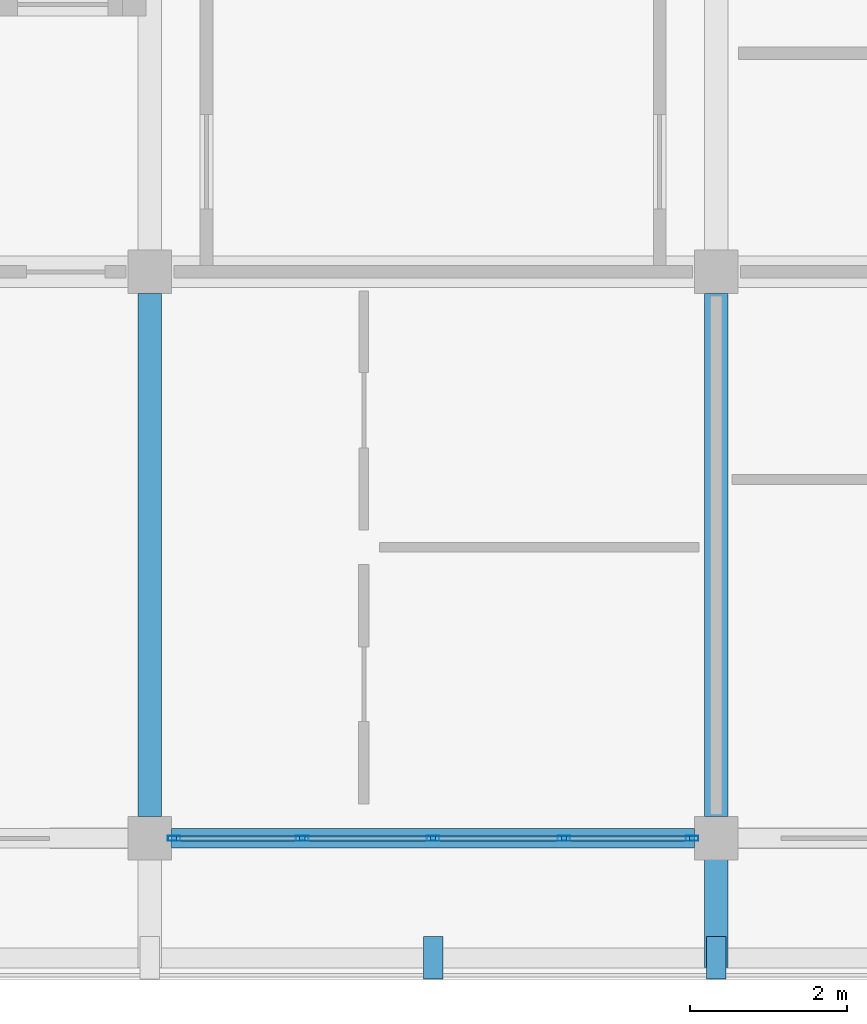
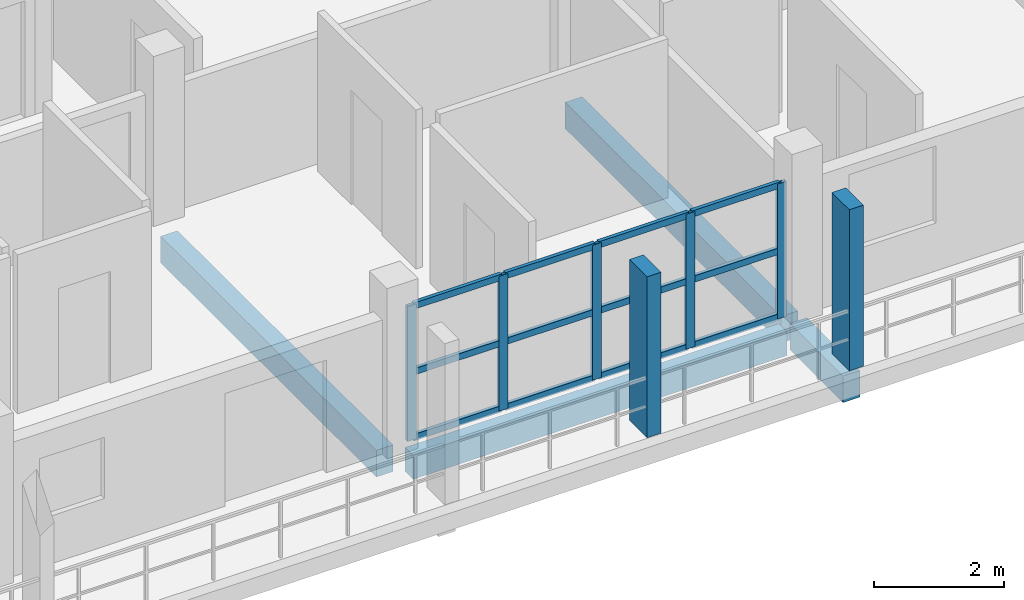
# One storey, part 6 of 67: 19 members, 4 beams, 1 element without a shape of its own.
"""IFC4 building model written with IfcOpenShell, lengths in metres."""

from ifc_helpers import new_model, si_unit, direction, frame, origin, origin_2d, place, context, subcontext, project, spatial, rectangle, hollow_rectangle, extrude, material, material_profile, profile_set, type_object, element, aggregate, save


model = new_model("IFC4")

# Units and contexts
model_context = context("Model", 3, precision=1e-05, world=origin(), true_north=direction((0.0, 1.0)))
body_context = subcontext(model_context, "Body", "Model", "MODEL_VIEW")
ifc_project = project(units=[si_unit("LENGTHUNIT", "METRE"), si_unit("AREAUNIT", "SQUARE_METRE"), si_unit("VOLUMEUNIT", "CUBIC_METRE"), si_unit("PLANEANGLEUNIT", "RADIAN"), si_unit("MASSUNIT", "GRAM", prefix="KILO")], contexts=[model_context])

# Site, building, storey
site_placement = place(None, origin())
site = spatial("IfcSite", under=ifc_project, at=site_placement, CompositionType="ELEMENT")
building_placement = place(site_placement, origin())
building = spatial("IfcBuilding", under=site, at=building_placement, Name="Suanplinth Sawtooth Commons", CompositionType="ELEMENT")
storey_placement = place(building_placement, frame((0.0, 0.0, 25.10009765625)))
storey = spatial("IfcBuildingStorey", under=building, at=storey_placement, Name="L07", CompositionType="ELEMENT", Elevation=25.10009765625)

# Beams
ifc_material_1 = material(Name="Precast concrete C40/50", Category="concrete")
ifc_material_profile_1 = material_profile(ifc_material_1, rectangle(XDim=0.300048828125, YDim=0.5, at=origin_2d()), Name="PC-BM 300x500")
ifc_profile_set_1 = profile_set([ifc_material_profile_1], Name="Precast concrete C40/50")
beam_type_1 = type_object("IfcBeamType", Name="B-07", PredefinedType="BEAM", material=ifc_profile_set_1)
for number, where, z_axis, x_axis, name in (
    (1, (36.0, 0.27490234375, -0.47021484375), (0.0, 1.0, 0.0), (-1.0, 0.0, 0.0), "BMY-L07-D-5-0"),
    (2, (43.199951171875, 0.27490234375, -0.47021484375), (0.0, 1.0, 0.0), (-1.0, 0.0, 0.0), "BMY-L07-D-6-0"),
):
    element("IfcBeam", number, at=place(storey_placement, frame(where, z_axis=z_axis, x_axis=x_axis)), inside=storey, type_object=beam_type_1, Name=name, PredefinedType="BEAM", context=body_context, shape_type="SweptSolid", body=[
        extrude(rectangle(XDim=0.300048828125, YDim=0.5, at=origin_2d()), origin(), (0.0, 0.0, 1.0), 6.650146484375),
    ])
beam_1_placement = place(storey_placement, frame((43.199951171875, 0.0, -0.43017578125), z_axis=(0.0, -1.0, 0.0), x_axis=(1.0, 0.0, 0.0)))
element("IfcBeam", 3, at=beam_1_placement, inside=storey, type_object=beam_type_1, Name="Balcony Outrigger L07-D-S-6", PredefinedType="BEAM", context=body_context, shape_type="SweptSolid", body=[
    extrude(rectangle(XDim=0.300048828125, YDim=0.5, at=origin_2d()), origin(), (0.0, 0.0, 1.0), 1.639892578125),
])
ifc_material_profile_2 = material_profile(ifc_material_1, rectangle(XDim=0.25, YDim=0.449951171875, at=origin_2d()), Name="PC-SP 250x450")
ifc_profile_set_2 = profile_set([ifc_material_profile_2], Name="Precast concrete C40/50")
beam_type_2 = type_object("IfcBeamType", Name="B-09", PredefinedType="SPANDREL", material=ifc_profile_set_2)
beam_2_placement = place(storey_placement, frame((36.27490234375, 0.0, -0.445068359375), z_axis=(1.0, 0.0, 0.0), x_axis=(0.0, 1.0, 0.0)))
element("IfcBeam", 4, at=beam_2_placement, inside=storey, type_object=beam_type_2, Name="BMX-L07-D-5-0", PredefinedType="SPANDREL", context=body_context, shape_type="SweptSolid", body=[
    extrude(rectangle(XDim=0.25, YDim=0.449951171875, at=origin_2d()), origin(), (0.0, 0.0, 1.0), 6.650146484375),
])

# Members
ifc_material_2 = material(Name="Pigmented precast concrete C40/50", Category="concrete")
ifc_material_profile_3 = material_profile(ifc_material_2, rectangle(XDim=0.25, YDim=0.5400390625, at=origin_2d()), Name="PC-FIN 250x540")
ifc_profile_set_3 = profile_set([ifc_material_profile_3], Name="Pigmented precast concrete C40/50")
member_type_1 = type_object("IfcMemberType", Name="M-11", PredefinedType="USERDEFINED", material=ifc_profile_set_3)
for number, where, z_axis, x_axis, name in (
    (5, (39.60009765625, -1.52001953125, 0.0), (0.0, 0.0, 1.0), (1.0, 0.0, 0.0), "Upright Solar Blade L07-D-S-06"),
    (6, (43.199951171875, -1.52001953125, 0.0), (0.0, 0.0, 1.0), (1.0, 0.0, 0.0), "Upright Solar Blade L07-D-S-07"),
):
    element("IfcMember", number, at=place(storey_placement, frame(where, z_axis=z_axis, x_axis=x_axis)), inside=storey, type_object=member_type_1, Name=name, ObjectType="SHADING FIN", PredefinedType="USERDEFINED", context=body_context, shape_type="SweptSolid", body=[
        extrude(rectangle(XDim=0.25, YDim=0.5400390625, at=origin_2d()), origin(), (0.0, 0.0, 1.0), 3.02978515625),
    ])

# Curtain wall, members
ifc_material_3 = material(Name="Anodized aluminium and low-E glazing", Category="aluminium")
curtain_wall_type = type_object("IfcCurtainWallType", Name="CW-06", PredefinedType="USERDEFINED", material=ifc_material_3)
curtain_wall_placement = place(storey_placement, origin())
curtain_wall = element("IfcCurtainWall", 7, at=curtain_wall_placement, inside=storey, type_object=curtain_wall_type, Name="Curtain Wall CW-L07-D-LOUNGE-5", ObjectType="CURTAIN WALL", PredefinedType="USERDEFINED")
ifc_material_4 = material(Name="Anodized aluminium 6063-T6", Category="aluminium")
ifc_material_profile_4 = material_profile(ifc_material_4, hollow_rectangle(XDim=0.06494140625, YDim=0.159912109375, WallThickness=0.00390625, at=origin_2d()), Name="ALU-MUL 65x160")
ifc_profile_set_4 = profile_set([ifc_material_profile_4], Name="Anodized aluminium 6063-T6")
member_type_2 = type_object("IfcMemberType", Name="M-13", PredefinedType="MULLION", material=ifc_profile_set_4)
member_1_placement = place(storey_placement, frame((36.3076171875, 0.0, 0.0), z_axis=(0.0, 0.0, 1.0), x_axis=(0.0, 1.0, 0.0)))
member_1 = element("IfcMember", 8, at=member_1_placement, type_object=member_type_2, Name="CW-06 mullion 1", PredefinedType="MULLION", context=body_context, shape_type="SweptSolid", body=[
    extrude(hollow_rectangle(XDim=0.06494140625, YDim=0.159912109375, WallThickness=0.00390625, at=origin_2d()), origin(), (0.0, 0.0, 1.0), 2.539794921875),
])
member_2_placement = place(storey_placement, frame((37.9375, 0.0, 0.0), z_axis=(0.0, 0.0, 1.0), x_axis=(0.0, 1.0, 0.0)))
member_2 = element("IfcMember", 9, at=member_2_placement, type_object=member_type_2, Name="CW-06 mullion 2", PredefinedType="MULLION", context=body_context, shape_type="SweptSolid", body=[
    extrude(hollow_rectangle(XDim=0.06494140625, YDim=0.159912109375, WallThickness=0.00390625, at=origin_2d()), origin(), (0.0, 0.0, 1.0), 2.539794921875),
])
member_3_placement = place(storey_placement, frame((39.60009765625, 0.0, 0.0), z_axis=(0.0, 0.0, 1.0), x_axis=(0.0, 1.0, 0.0)))
member_3 = element("IfcMember", 10, at=member_3_placement, type_object=member_type_2, Name="CW-06 mullion 3", PredefinedType="MULLION", context=body_context, shape_type="SweptSolid", body=[
    extrude(hollow_rectangle(XDim=0.06494140625, YDim=0.159912109375, WallThickness=0.00390625, at=origin_2d()), origin(), (0.0, 0.0, 1.0), 2.539794921875),
])
member_4_placement = place(storey_placement, frame((41.262451171875, 0.0, 0.0), z_axis=(0.0, 0.0, 1.0), x_axis=(0.0, 1.0, 0.0)))
member_4 = element("IfcMember", 11, at=member_4_placement, type_object=member_type_2, Name="CW-06 mullion 4", PredefinedType="MULLION", context=body_context, shape_type="SweptSolid", body=[
    extrude(hollow_rectangle(XDim=0.06494140625, YDim=0.159912109375, WallThickness=0.00390625, at=origin_2d()), origin(), (0.0, 0.0, 1.0), 2.539794921875),
])
member_5_placement = place(storey_placement, frame((42.892578125, 0.0, 0.0), z_axis=(0.0, 0.0, 1.0), x_axis=(0.0, 1.0, 0.0)))
member_5 = element("IfcMember", 12, at=member_5_placement, type_object=member_type_2, Name="CW-06 mullion 5", PredefinedType="MULLION", context=body_context, shape_type="SweptSolid", body=[
    extrude(hollow_rectangle(XDim=0.06494140625, YDim=0.159912109375, WallThickness=0.00390625, at=origin_2d()), origin(), (0.0, 0.0, 1.0), 2.539794921875),
])
ifc_material_profile_5 = material_profile(ifc_material_4, hollow_rectangle(XDim=0.06494140625, YDim=0.1201171875, WallThickness=0.00390625, at=origin_2d()), Name="ALU-TRN 65x120")
ifc_profile_set_5 = profile_set([ifc_material_profile_5], Name="Anodized aluminium 6063-T6")
member_type_3 = type_object("IfcMemberType", Name="M-15", PredefinedType="USERDEFINED", material=ifc_profile_set_5)
member_6_placement = place(storey_placement, frame((36.340087890625, 0.0, 0.032470703125), z_axis=(1.0, 0.0, 0.0), x_axis=(0.0, 1.0, 0.0)))
member_6 = element("IfcMember", 13, at=member_6_placement, type_object=member_type_3, Name="CW-06 transom 1.1", ObjectType="TRANSOM", PredefinedType="USERDEFINED", context=body_context, shape_type="SweptSolid", body=[
    extrude(hollow_rectangle(XDim=0.06494140625, YDim=0.1201171875, WallThickness=0.00390625, at=origin_2d()), origin(), (0.0, 0.0, 1.0), 1.56494140625),
])
member_7_placement = place(storey_placement, frame((36.340087890625, 0.0, 1.27001953125), z_axis=(1.0, 0.0, 0.0), x_axis=(0.0, 1.0, 0.0)))
member_7 = element("IfcMember", 14, at=member_7_placement, type_object=member_type_3, Name="CW-06 transom 1.2", ObjectType="TRANSOM", PredefinedType="USERDEFINED", context=body_context, shape_type="SweptSolid", body=[
    extrude(hollow_rectangle(XDim=0.06494140625, YDim=0.1201171875, WallThickness=0.00390625, at=origin_2d()), origin(), (0.0, 0.0, 1.0), 1.56494140625),
])
member_8_placement = place(storey_placement, frame((36.340087890625, 0.0, 2.50732421875), z_axis=(1.0, 0.0, 0.0), x_axis=(0.0, 1.0, 0.0)))
member_8 = element("IfcMember", 15, at=member_8_placement, type_object=member_type_3, Name="CW-06 transom 1.3", ObjectType="TRANSOM", PredefinedType="USERDEFINED", context=body_context, shape_type="SweptSolid", body=[
    extrude(hollow_rectangle(XDim=0.06494140625, YDim=0.1201171875, WallThickness=0.00390625, at=origin_2d()), origin(), (0.0, 0.0, 1.0), 1.56494140625),
])
member_9_placement = place(storey_placement, frame((37.969970703125, 0.0, 0.032470703125), z_axis=(1.0, 0.0, 0.0), x_axis=(0.0, 1.0, 0.0)))
member_9 = element("IfcMember", 16, at=member_9_placement, type_object=member_type_3, Name="CW-06 transom 2.1", ObjectType="TRANSOM", PredefinedType="USERDEFINED", context=body_context, shape_type="SweptSolid", body=[
    extrude(hollow_rectangle(XDim=0.06494140625, YDim=0.1201171875, WallThickness=0.00390625, at=origin_2d()), origin(), (0.0, 0.0, 1.0), 1.597412109375),
])
member_10_placement = place(storey_placement, frame((37.969970703125, 0.0, 1.27001953125), z_axis=(1.0, 0.0, 0.0), x_axis=(0.0, 1.0, 0.0)))
member_10 = element("IfcMember", 17, at=member_10_placement, type_object=member_type_3, Name="CW-06 transom 2.2", ObjectType="TRANSOM", PredefinedType="USERDEFINED", context=body_context, shape_type="SweptSolid", body=[
    extrude(hollow_rectangle(XDim=0.06494140625, YDim=0.1201171875, WallThickness=0.00390625, at=origin_2d()), origin(), (0.0, 0.0, 1.0), 1.597412109375),
])
member_11_placement = place(storey_placement, frame((37.969970703125, 0.0, 2.50732421875), z_axis=(1.0, 0.0, 0.0), x_axis=(0.0, 1.0, 0.0)))
member_11 = element("IfcMember", 18, at=member_11_placement, type_object=member_type_3, Name="CW-06 transom 2.3", ObjectType="TRANSOM", PredefinedType="USERDEFINED", context=body_context, shape_type="SweptSolid", body=[
    extrude(hollow_rectangle(XDim=0.06494140625, YDim=0.1201171875, WallThickness=0.00390625, at=origin_2d()), origin(), (0.0, 0.0, 1.0), 1.597412109375),
])
member_12_placement = place(storey_placement, frame((39.632568359375, 0.0, 0.032470703125), z_axis=(1.0, 0.0, 0.0), x_axis=(0.0, 1.0, 0.0)))
member_12 = element("IfcMember", 19, at=member_12_placement, type_object=member_type_3, Name="CW-06 transom 3.1", ObjectType="TRANSOM", PredefinedType="USERDEFINED", context=body_context, shape_type="SweptSolid", body=[
    extrude(hollow_rectangle(XDim=0.06494140625, YDim=0.1201171875, WallThickness=0.00390625, at=origin_2d()), origin(), (0.0, 0.0, 1.0), 1.597412109375),
])
member_13_placement = place(storey_placement, frame((39.632568359375, 0.0, 1.27001953125), z_axis=(1.0, 0.0, 0.0), x_axis=(0.0, 1.0, 0.0)))
member_13 = element("IfcMember", 20, at=member_13_placement, type_object=member_type_3, Name="CW-06 transom 3.2", ObjectType="TRANSOM", PredefinedType="USERDEFINED", context=body_context, shape_type="SweptSolid", body=[
    extrude(hollow_rectangle(XDim=0.06494140625, YDim=0.1201171875, WallThickness=0.00390625, at=origin_2d()), origin(), (0.0, 0.0, 1.0), 1.597412109375),
])
member_14_placement = place(storey_placement, frame((39.632568359375, 0.0, 2.50732421875), z_axis=(1.0, 0.0, 0.0), x_axis=(0.0, 1.0, 0.0)))
member_14 = element("IfcMember", 21, at=member_14_placement, type_object=member_type_3, Name="CW-06 transom 3.3", ObjectType="TRANSOM", PredefinedType="USERDEFINED", context=body_context, shape_type="SweptSolid", body=[
    extrude(hollow_rectangle(XDim=0.06494140625, YDim=0.1201171875, WallThickness=0.00390625, at=origin_2d()), origin(), (0.0, 0.0, 1.0), 1.597412109375),
])
member_15_placement = place(storey_placement, frame((41.294921875, 0.0, 0.032470703125), z_axis=(1.0, 0.0, 0.0), x_axis=(0.0, 1.0, 0.0)))
member_15 = element("IfcMember", 22, at=member_15_placement, type_object=member_type_3, Name="CW-06 transom 4.1", ObjectType="TRANSOM", PredefinedType="USERDEFINED", context=body_context, shape_type="SweptSolid", body=[
    extrude(hollow_rectangle(XDim=0.06494140625, YDim=0.1201171875, WallThickness=0.00390625, at=origin_2d()), origin(), (0.0, 0.0, 1.0), 1.565185546875),
])
member_16_placement = place(storey_placement, frame((41.294921875, 0.0, 1.27001953125), z_axis=(1.0, 0.0, 0.0), x_axis=(0.0, 1.0, 0.0)))
member_16 = element("IfcMember", 23, at=member_16_placement, type_object=member_type_3, Name="CW-06 transom 4.2", ObjectType="TRANSOM", PredefinedType="USERDEFINED", context=body_context, shape_type="SweptSolid", body=[
    extrude(hollow_rectangle(XDim=0.06494140625, YDim=0.1201171875, WallThickness=0.00390625, at=origin_2d()), origin(), (0.0, 0.0, 1.0), 1.565185546875),
])
member_17_placement = place(storey_placement, frame((41.294921875, 0.0, 2.50732421875), z_axis=(1.0, 0.0, 0.0), x_axis=(0.0, 1.0, 0.0)))
member_17 = element("IfcMember", 24, at=member_17_placement, type_object=member_type_3, Name="CW-06 transom 4.3", ObjectType="TRANSOM", PredefinedType="USERDEFINED", context=body_context, shape_type="SweptSolid", body=[
    extrude(hollow_rectangle(XDim=0.06494140625, YDim=0.1201171875, WallThickness=0.00390625, at=origin_2d()), origin(), (0.0, 0.0, 1.0), 1.565185546875),
])
aggregate(curtain_wall, [member_1, member_2, member_3, member_4, member_5, member_6, member_7, member_8, member_9, member_10, member_11, member_12, member_13, member_14, member_15, member_16, member_17])

save(model, "model.ifc")
